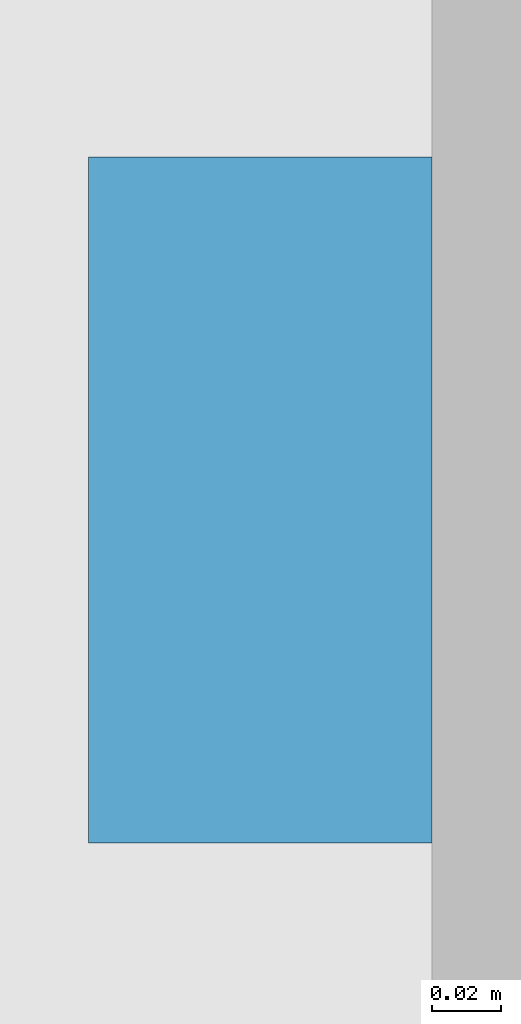
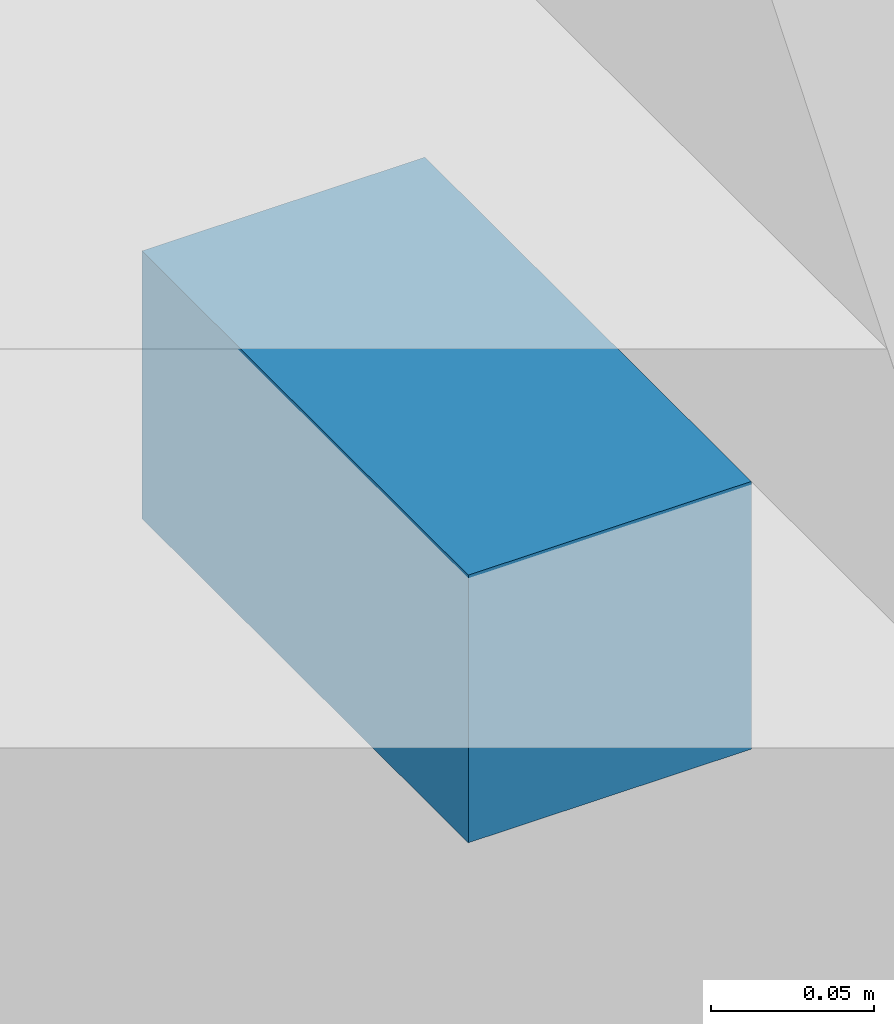
# One storey, part 15 of 17: 1 discrete accessory.
"""IFC4 building model written with IfcOpenShell, lengths in metres."""

from ifc_helpers import new_model, si_unit, direction, frame, origin, origin_2d, place, context, subcontext, project, spatial, rectangle, extrude, element, save


model = new_model("IFC4")

# Units and contexts
model_context = context("Model", 3, precision=1e-05, world=origin(), true_north=direction((0.0, 1.0)))
body_context = subcontext(model_context, "Body", "Model", "MODEL_VIEW")
ifc_project = project(units=[si_unit("LENGTHUNIT", "METRE"), si_unit("AREAUNIT", "SQUARE_METRE"), si_unit("VOLUMEUNIT", "CUBIC_METRE"), si_unit("PLANEANGLEUNIT", "RADIAN"), si_unit("MASSUNIT", "GRAM", prefix="KILO")], contexts=[model_context])

# Site, building, storey
site_placement = place(None, origin())
site = spatial("IfcSite", under=ifc_project, at=site_placement, CompositionType="ELEMENT")
building_placement = place(site_placement, origin())
building = spatial("IfcBuilding", under=site, at=building_placement, Name="Calvaro Tower", CompositionType="ELEMENT")
storey_placement = place(building_placement, frame((0.0, 0.0, 219.25)))
storey = spatial("IfcBuildingStorey", under=building, at=storey_placement, Name="L55", CompositionType="ELEMENT", Elevation=219.25)

# Discrete accessory
discrete_accessory_placement = place(storey_placement, frame((65.5, 3.60009765625, 2.349853515625), z_axis=(0.0, 0.0, 1.0), x_axis=(1.0, 0.0, 0.0)))
element("IfcDiscreteAccessory", 1, at=discrete_accessory_placement, inside=storey, Name="Brise-soleil bracket", PredefinedType="BRACKET", context=body_context, shape_type="SweptSolid", body=[
    extrude(rectangle(XDim=0.10009765625, YDim=0.199951171875, at=origin_2d()), origin(), (0.0, 0.0, 1.0), 0.10009765625),
])

save(model, "model.ifc")
